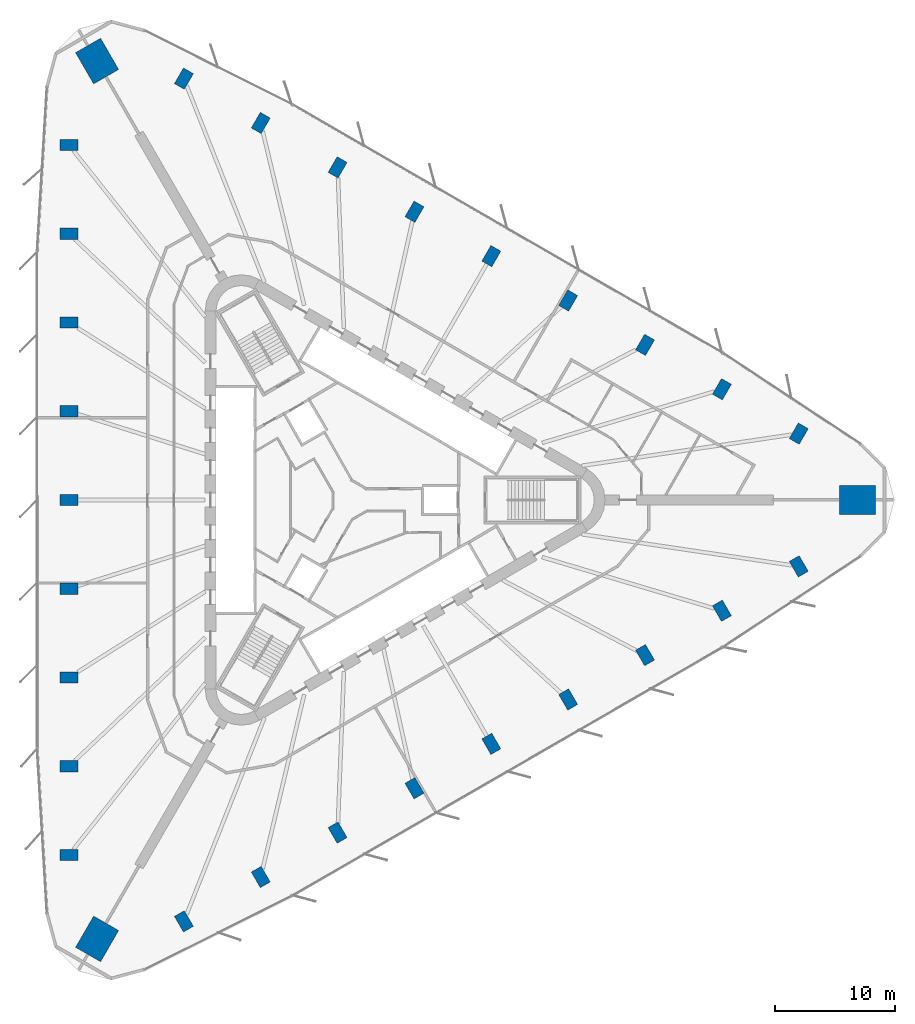
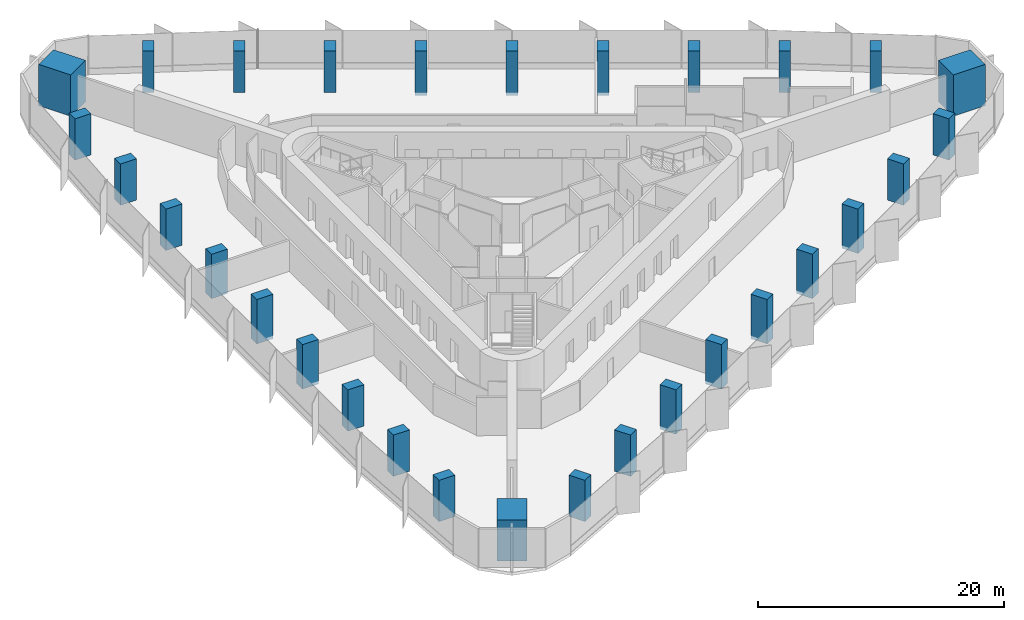
# One storey, part 1 of 14: 30 columns.
"""IFC4 building model written with IfcOpenShell, lengths in metres."""

from ifc_helpers import new_model, si_unit, direction, frame, origin, origin_2d, place, context, subcontext, project, spatial, rectangle, extrude, material, material_profile, profile_set, type_object, element, save


model = new_model("IFC4")

# Units and contexts
model_context = context("Model", 3, precision=1e-05, world=origin(), true_north=direction((0.0, 1.0)))
body_context = subcontext(model_context, "Body", "Model", "MODEL_VIEW")
ifc_project = project(units=[si_unit("LENGTHUNIT", "METRE"), si_unit("AREAUNIT", "SQUARE_METRE"), si_unit("VOLUMEUNIT", "CUBIC_METRE"), si_unit("PLANEANGLEUNIT", "RADIAN"), si_unit("MASSUNIT", "GRAM", prefix="KILO")], contexts=[model_context])

# Site, building, storey
site_placement = place(None, origin())
site = spatial("IfcSite", under=ifc_project, at=site_placement, CompositionType="ELEMENT")
building_placement = place(site_placement, origin())
building = spatial("IfcBuilding", under=site, at=building_placement, Name="Tanit Gate Tower", CompositionType="ELEMENT")
storey_placement = place(building_placement, frame((0.0, 0.0, 45.5)))
storey = spatial("IfcBuildingStorey", under=building, at=storey_placement, Name="L07", CompositionType="ELEMENT", Elevation=45.5)

# Columns
ifc_material_1 = material(Name="Concrete C70/85", Category="concrete")
ifc_material_profile_1 = material_profile(ifc_material_1, rectangle(XDim=3.0, YDim=2.39990234375, at=origin_2d()), Name="RC 3000x2400")
ifc_profile_set_1 = profile_set([ifc_material_profile_1], Name="Concrete C70/85")
column_type_1 = type_object("IfcColumnType", Name="MEGA COLUMN 3000x2400 C70/85", PredefinedType="COLUMN", material=ifc_profile_set_1)
for number, where, z_axis, x_axis, name in (
    (1, (42.211181640625, 0.0, 0.0), (0.0, 0.0, 1.0), (1.0, 0.0, 0.0), "MEGA COLUMN"),
    (2, (-21.105712890625, 36.555908203125, 0.0), (0.0, 0.0, 1.0), (-0.5, 0.866025403784, 0.0), "MEGA COLUMN"),
    (3, (-21.105712890625, -36.555908203125, 0.0), (0.0, 0.0, 1.0), (-0.5, -0.866025403784, 0.0), "MEGA COLUMN"),
):
    element("IfcColumn", number, at=place(storey_placement, frame(where, z_axis=z_axis, x_axis=x_axis)), inside=storey, type_object=column_type_1, Name=name, PredefinedType="COLUMN", context=body_context, shape_type="SweptSolid", body=[
        extrude(rectangle(XDim=3.0, YDim=2.39990234375, at=origin_2d()), origin(), (0.0, 0.0, 1.0), 4.10009765625),
    ])
ifc_material_2 = material(Name="Concrete C60/75", Category="concrete")
ifc_material_profile_2 = material_profile(ifc_material_2, rectangle(XDim=1.5, YDim=0.949951171875, at=origin_2d()), Name="RC 1500x950")
ifc_profile_set_2 = profile_set([ifc_material_profile_2], Name="Concrete C60/75")
column_type_2 = type_object("IfcColumnType", Name="PERIMETER COLUMN 1500x950 C60/75", PredefinedType="COLUMN", material=ifc_profile_set_2)
for number, where, z_axis, x_axis, name in (
    (4, (-23.453369140625, 29.56591796875, 0.0), (0.0, 0.0, 1.0), (-1.0, 0.0, 0.0), "PERIMETER COLUMN"),
    (5, (-23.453369140625, 22.17431640625, 0.0), (0.0, 0.0, 1.0), (-1.0, 0.0, 0.0), "PERIMETER COLUMN"),
    (6, (-23.453369140625, 14.782958984375, 0.0), (0.0, 0.0, 1.0), (-1.0, 0.0, 0.0), "PERIMETER COLUMN"),
):
    element("IfcColumn", number, at=place(storey_placement, frame(where, z_axis=z_axis, x_axis=x_axis)), inside=storey, type_object=column_type_2, Name=name, PredefinedType="COLUMN", context=body_context, shape_type="SweptSolid", body=[
        extrude(rectangle(XDim=1.5, YDim=0.949951171875, at=origin_2d()), origin(), (0.0, 0.0, 1.0), 4.10009765625),
    ])
for number, where, z_axis, x_axis, name in (
    (7, (-23.453369140625, 7.391357421875, -0.300048828125), (0.0, 0.0, 1.0), (-1.0, 0.0, 0.0), "PERIMETER COLUMN"),
    (8, (-23.453369140625, 0.0, -0.300048828125), (0.0, 0.0, 1.0), (-1.0, 0.0, 0.0), "PERIMETER COLUMN"),
    (9, (-23.453369140625, -7.391357421875, -0.300048828125), (0.0, 0.0, 1.0), (-1.0, 0.0, 0.0), "PERIMETER COLUMN"),
):
    element("IfcColumn", number, at=place(storey_placement, frame(where, z_axis=z_axis, x_axis=x_axis)), inside=storey, type_object=column_type_2, Name=name, PredefinedType="COLUMN", context=body_context, shape_type="SweptSolid", body=[
        extrude(rectangle(XDim=1.5, YDim=0.949951171875, at=origin_2d()), origin(), (0.0, 0.0, 1.0), 4.400146484375),
    ])
for number, where, z_axis, x_axis, name in (
    (10, (-23.453369140625, -14.782958984375, 0.0), (0.0, 0.0, 1.0), (-1.0, 0.0, 0.0), "PERIMETER COLUMN"),
    (11, (-23.453369140625, -22.17431640625, 0.0), (0.0, 0.0, 1.0), (-1.0, 0.0, 0.0), "PERIMETER COLUMN"),
    (12, (-23.453369140625, -29.56591796875, 0.0), (0.0, 0.0, 1.0), (-1.0, 0.0, 0.0), "PERIMETER COLUMN"),
    (13, (37.331298828125, 5.5283203125, 0.0), (0.0, 0.0, 1.0), (0.5, 0.866025403784, 0.0), "PERIMETER COLUMN"),
    (14, (30.930419921875, 9.22412109375, 0.0), (0.0, 0.0, 1.0), (0.5, 0.866025403784, 0.0), "PERIMETER COLUMN"),
    (15, (24.529052734375, 12.919921875, 0.0), (0.0, 0.0, 1.0), (0.5, 0.866025403784, 0.0), "PERIMETER COLUMN"),
):
    element("IfcColumn", number, at=place(storey_placement, frame(where, z_axis=z_axis, x_axis=x_axis)), inside=storey, type_object=column_type_2, Name=name, PredefinedType="COLUMN", context=body_context, shape_type="SweptSolid", body=[
        extrude(rectangle(XDim=1.5, YDim=0.949951171875, at=origin_2d()), origin(), (0.0, 0.0, 1.0), 4.10009765625),
    ])
for number, where, z_axis, x_axis, name in (
    (16, (18.1279296875, 16.615478515625, -0.300048828125), (0.0, 0.0, 1.0), (0.5, 0.866025403784, 0.0), "PERIMETER COLUMN"),
    (17, (11.726806640625, 20.311279296875, -0.300048828125), (0.0, 0.0, 1.0), (0.5, 0.866025403784, 0.0), "PERIMETER COLUMN"),
    (18, (5.325439453125, 24.007080078125, -0.300048828125), (0.0, 0.0, 1.0), (0.5, 0.866025403784, 0.0), "PERIMETER COLUMN"),
):
    element("IfcColumn", number, at=place(storey_placement, frame(where, z_axis=z_axis, x_axis=x_axis)), inside=storey, type_object=column_type_2, Name=name, PredefinedType="COLUMN", context=body_context, shape_type="SweptSolid", body=[
        extrude(rectangle(XDim=1.5, YDim=0.949951171875, at=origin_2d()), origin(), (0.0, 0.0, 1.0), 4.400146484375),
    ])
for number, where, z_axis, x_axis, name in (
    (19, (-1.07568359375, 27.70263671875, 0.0), (0.0, 0.0, 1.0), (0.5, 0.866025403784, 0.0), "PERIMETER COLUMN"),
    (20, (-7.476806640625, 31.3984375, 0.0), (0.0, 0.0, 1.0), (0.5, 0.866025403784, 0.0), "PERIMETER COLUMN"),
    (21, (-13.8779296875, 35.093994140625, 0.0), (0.0, 0.0, 1.0), (0.5, 0.866025403784, 0.0), "PERIMETER COLUMN"),
    (22, (-13.8779296875, -35.093994140625, 0.0), (0.0, 0.0, 1.0), (0.5, -0.866025403784, 0.0), "PERIMETER COLUMN"),
    (23, (-7.476806640625, -31.3984375, 0.0), (0.0, 0.0, 1.0), (0.5, -0.866025403784, 0.0), "PERIMETER COLUMN"),
):
    element("IfcColumn", number, at=place(storey_placement, frame(where, z_axis=z_axis, x_axis=x_axis)), inside=storey, type_object=column_type_2, Name=name, PredefinedType="COLUMN", context=body_context, shape_type="SweptSolid", body=[
        extrude(rectangle(XDim=1.5, YDim=0.949951171875, at=origin_2d()), origin(), (0.0, 0.0, 1.0), 4.10009765625),
    ])
for number, where, z_axis, x_axis, name in (
    (24, (-1.07568359375, -27.70263671875, -0.300048828125), (0.0, 0.0, 1.0), (0.5, -0.866025403784, 0.0), "PERIMETER COLUMN"),
    (25, (5.325439453125, -24.007080078125, -0.300048828125), (0.0, 0.0, 1.0), (0.5, -0.866025403784, 0.0), "PERIMETER COLUMN"),
    (26, (11.726806640625, -20.311279296875, -0.300048828125), (0.0, 0.0, 1.0), (0.5, -0.866025403784, 0.0), "PERIMETER COLUMN"),
    (27, (18.1279296875, -16.615478515625, -0.300048828125), (0.0, 0.0, 1.0), (0.5, -0.866025403784, 0.0), "PERIMETER COLUMN"),
    (28, (24.529052734375, -12.919921875, -0.300048828125), (0.0, 0.0, 1.0), (0.5, -0.866025403784, 0.0), "PERIMETER COLUMN"),
):
    element("IfcColumn", number, at=place(storey_placement, frame(where, z_axis=z_axis, x_axis=x_axis)), inside=storey, type_object=column_type_2, Name=name, PredefinedType="COLUMN", context=body_context, shape_type="SweptSolid", body=[
        extrude(rectangle(XDim=1.5, YDim=0.949951171875, at=origin_2d()), origin(), (0.0, 0.0, 1.0), 4.400146484375),
    ])
for number, where, z_axis, x_axis, name in (
    (29, (30.930419921875, -9.22412109375, 0.0), (0.0, 0.0, 1.0), (0.5, -0.866025403784, 0.0), "PERIMETER COLUMN"),
    (30, (37.331298828125, -5.5283203125, 0.0), (0.0, 0.0, 1.0), (0.5, -0.866025403784, 0.0), "PERIMETER COLUMN"),
):
    element("IfcColumn", number, at=place(storey_placement, frame(where, z_axis=z_axis, x_axis=x_axis)), inside=storey, type_object=column_type_2, Name=name, PredefinedType="COLUMN", context=body_context, shape_type="SweptSolid", body=[
        extrude(rectangle(XDim=1.5, YDim=0.949951171875, at=origin_2d()), origin(), (0.0, 0.0, 1.0), 4.10009765625),
    ])

save(model, "model.ifc")
